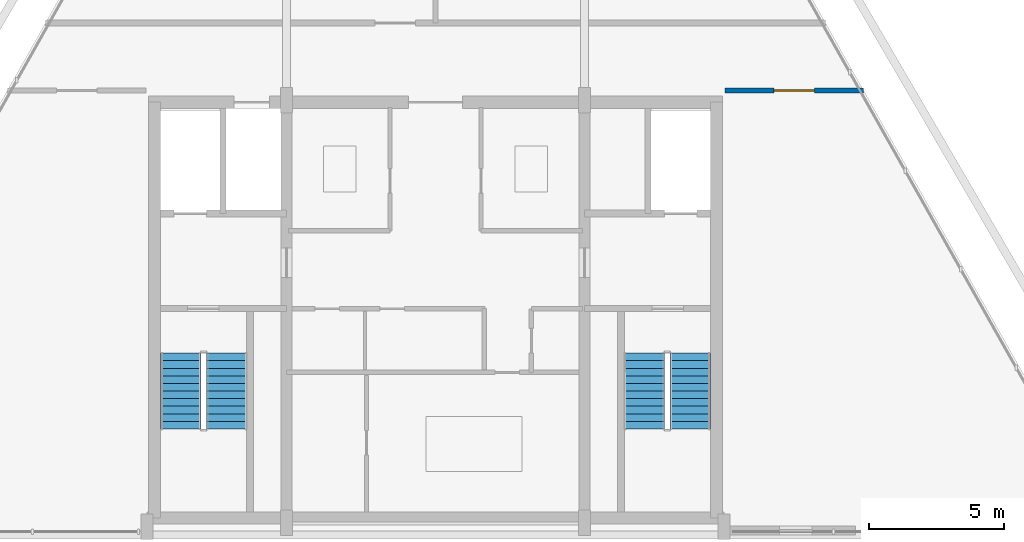
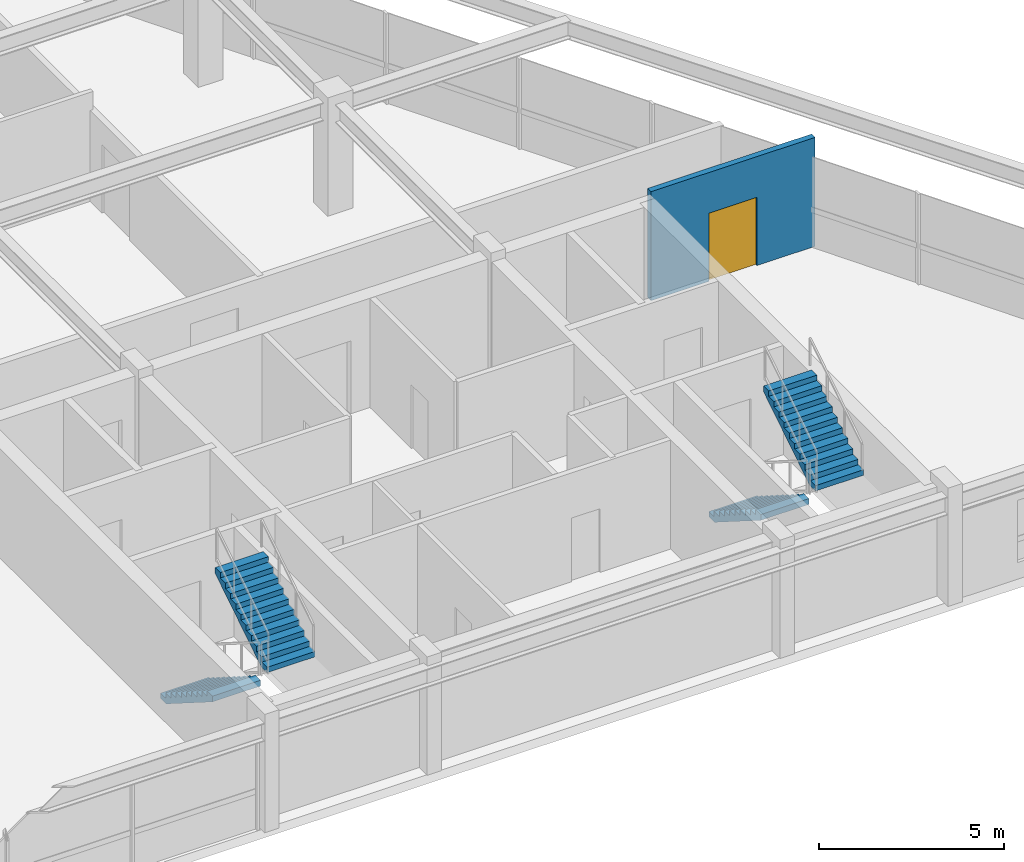
# One storey, part 11 of 12: 4 stair flights, 1 door, 1 wall, 1 opening, 2 elements without a shape of their own.
"""IFC4 building model written with IfcOpenShell, lengths in metres."""

from ifc_helpers import new_model, si_unit, direction, frame, frame_2d, origin, place, context, subcontext, project, spatial, polyline, rectangle, outline, extrude, source, transform, mapped, material, layer, layer_set, type_object, type_shapes, element, fill, aggregate, save


model = new_model("IFC4")

# Units and contexts
model_context = context("Model", 3, precision=1e-05, world=origin(), true_north=direction((0.0, 1.0)))
body_context = subcontext(model_context, "Body", "Model", "MODEL_VIEW")
ifc_project = project(units=[si_unit("LENGTHUNIT", "METRE"), si_unit("AREAUNIT", "SQUARE_METRE"), si_unit("VOLUMEUNIT", "CUBIC_METRE"), si_unit("PLANEANGLEUNIT", "RADIAN"), si_unit("MASSUNIT", "GRAM", prefix="KILO")], contexts=[model_context])

# Site, building, storey
site_placement = place(None, origin())
site = spatial("IfcSite", under=ifc_project, at=site_placement, CompositionType="ELEMENT")
building_placement = place(site_placement, origin())
building = spatial("IfcBuilding", under=site, at=building_placement, Name="Varnakhor Terracotta Tower", CompositionType="ELEMENT")
storey_placement = place(building_placement, frame((0.0, 0.0, 321.39990234375)))
storey = spatial("IfcBuildingStorey", under=building, at=storey_placement, Name="L84 Crown", CompositionType="ELEMENT", Elevation=321.39990234375)

# Wall, opening, door
ifc_material_1 = material(Name="Fire-Rated Gypsum Stud Partition", Category="gypsum")
ifc_layer = layer(ifc_material_1, 0.18505859375, Name="Fire-Rated Gypsum Stud Partition")
ifc_layer_set = layer_set([ifc_layer], Name="Fire-Rated Gypsum Stud Partition")
wall_type = type_object("IfcWallType", Name="WAL-CORR-185", PredefinedType="PARTITIONING", material=ifc_layer_set)
wall_placement = place(storey_placement, frame((10.679931640625, 16.39990234375, 0.0), z_axis=(0.0, 0.0, 1.0), x_axis=(1.0, 0.0, 0.0)))
wall = element("IfcWall", 1, at=wall_placement, inside=storey, type_object=wall_type, Name="L84 Crown East Plant Wall", PredefinedType="PARTITIONING", context=body_context, shape_type="SweptSolid", body=[
    extrude(rectangle(XDim=5.11865234375, YDim=0.18505859375, at=frame_2d((2.559326171875, 0.0))), origin(), (0.0, 0.0, 1.0), 3.592041015625),
])
opening_placement = place(wall_placement, frame((1.809326171875, 0.0, 0.0)))
opening = element("IfcOpeningElement", 2, at=opening_placement, cuts=wall, Name="Opening DR-30", PredefinedType="OPENING", context=body_context, shape_type="SweptSolid", body=[
    extrude(rectangle(XDim=1.5, YDim=2.25, at=frame_2d((0.75, 1.125))), frame((0.0, 0.1025390625, 0.0), z_axis=(0.0, -1.0, 0.0), x_axis=(1.0, 0.0, 0.0)), (0.0, 0.0, 1.0), 0.205078125),
])
ifc_material_2 = material(Name="Double Acoustic Conference Room Door", Category="wood")
door_type = type_object("IfcDoorType", Name="DR-MEET-1500X2250", OperationType="NOTDEFINED", PredefinedType="DOOR", material=ifc_material_2)
shared_shape = source(origin(), body_context, "Body", "SweptSolid", [
    extrude(rectangle(XDim=1.5, YDim=2.25, at=frame_2d((0.75, 1.125))), frame((0.0, 0.02490234375, 0.0), z_axis=(0.0, -1.0, 0.0), x_axis=(1.0, 0.0, 0.0)), (0.0, 0.0, 1.0), 0.050048828125),
])
type_shapes(door_type, [shared_shape])
door_placement = place(opening_placement, origin())
door = element("IfcDoor", 3, at=door_placement, inside=storey, type_object=door_type, Name="L84 Crown East Electrical Room Door", OperationType="DOUBLE_DOOR_SINGLE_SWING", OverallHeight=2.25, OverallWidth=1.5, PredefinedType="DOOR", context=body_context, shape_type="MappedRepresentation", body=[
    mapped(shared_shape, transform((0.0, 0.0, 0.0), scale=1.0)),
])
fill(opening, door)

# Stair, stair flights
ifc_material_3 = material(Name="Concrete C40/50", Category="concrete")
stair_type = type_object("IfcStairType", Name="STR-CORE-HOTEL-1500", PredefinedType="HALF_TURN_STAIR", material=ifc_material_3)
stair_1_placement = place(storey_placement, origin())
stair_1 = element("IfcStair", 4, at=stair_1_placement, inside=storey, type_object=stair_type, Name="L84 Crown Core Exit Stair ST-1", PredefinedType="HALF_TURN_STAIR")
stair_flight_type = type_object("IfcStairFlightType", Name="FLT-HOTEL-1500", PredefinedType="STRAIGHT", material=ifc_material_3)
stair_flight_1_placement = place(storey_placement, frame((-9.39990234375, 6.7099609375, 0.0), z_axis=(0.0, 0.0, 1.0), x_axis=(0.0, -1.0, 0.0)))
stair_flight_1 = element("IfcStairFlight", 5, at=stair_flight_1_placement, type_object=stair_flight_type, Name="ST-1 flight 1", NumberOfRisers=11, NumberOfTreads=10, PredefinedType="STRAIGHT", RiserHeight=0.177272727, TreadLength=0.28, context=body_context, shape_type="SweptSolid", body=[
    extrude(outline(polyline([(0.0, 0.0), (0.0, 0.17724609375), (0.280029296875, 0.17724609375), (0.280029296875, 0.3544921875), (0.56005859375, 0.3544921875), (0.56005859375, 0.53173828125), (0.840087890625, 0.53173828125), (0.840087890625, 0.708984375), (1.1201171875, 0.708984375), (1.1201171875, 0.886474609375), (1.39990234375, 0.886474609375), (1.39990234375, 1.063720703125), (1.679931640625, 1.063720703125), (1.679931640625, 1.240966796875), (1.9599609375, 1.240966796875), (1.9599609375, 1.418212890625), (2.239990234375, 1.418212890625), (2.239990234375, 1.595458984375), (2.52001953125, 1.595458984375), (2.52001953125, 1.772705078125), (2.800048828125, 1.772705078125), (2.800048828125, 1.949951171875), (2.800048828125, 1.58349609375), (0.298828125, 0.0), (0.0, 0.0)])), frame((0.0, 0.75, 0.0), z_axis=(0.0, -1.0, 0.0), x_axis=(1.0, 0.0, 0.0)), (0.0, 0.0, 1.0), 1.5),
])
stair_flight_2_placement = place(storey_placement, frame((-7.699951171875, 3.909912109375, 1.9501953125), z_axis=(0.0, 0.0, 1.0), x_axis=(0.0, 1.0, 0.0)))
stair_flight_2 = element("IfcStairFlight", 6, at=stair_flight_2_placement, type_object=stair_flight_type, Name="ST-1 flight 2", NumberOfRisers=11, NumberOfTreads=10, PredefinedType="STRAIGHT", RiserHeight=0.177272727, TreadLength=0.28, context=body_context, shape_type="SweptSolid", body=[
    extrude(outline(polyline([(0.0, 0.0), (0.0, 0.17724609375), (0.280029296875, 0.17724609375), (0.280029296875, 0.3544921875), (0.56005859375, 0.3544921875), (0.56005859375, 0.53173828125), (0.840087890625, 0.53173828125), (0.840087890625, 0.708984375), (1.1201171875, 0.708984375), (1.1201171875, 0.886474609375), (1.39990234375, 0.886474609375), (1.39990234375, 1.063720703125), (1.679931640625, 1.063720703125), (1.679931640625, 1.240966796875), (1.9599609375, 1.240966796875), (1.9599609375, 1.418212890625), (2.239990234375, 1.418212890625), (2.239990234375, 1.595458984375), (2.52001953125, 1.595458984375), (2.52001953125, 1.772705078125), (2.800048828125, 1.772705078125), (2.800048828125, 1.949951171875), (2.800048828125, 1.58349609375), (0.298828125, 0.0), (0.0, 0.0)])), frame((0.0, 0.75, 0.0), z_axis=(0.0, -1.0, 0.0), x_axis=(1.0, 0.0, 0.0)), (0.0, 0.0, 1.0), 1.5),
])
aggregate(stair_1, [stair_flight_1, stair_flight_2])

stair_2_placement = place(storey_placement, origin())
stair_2 = element("IfcStair", 7, at=stair_2_placement, inside=storey, type_object=stair_type, Name="L84 Crown Core Exit Stair ST-2", PredefinedType="HALF_TURN_STAIR")
stair_flight_3_placement = place(storey_placement, frame((7.699951171875, 6.7099609375, 0.0), z_axis=(0.0, 0.0, 1.0), x_axis=(0.0, -1.0, 0.0)))
stair_flight_3 = element("IfcStairFlight", 8, at=stair_flight_3_placement, type_object=stair_flight_type, Name="ST-2 flight 1", NumberOfRisers=11, NumberOfTreads=10, PredefinedType="STRAIGHT", RiserHeight=0.177272727, TreadLength=0.28, context=body_context, shape_type="SweptSolid", body=[
    extrude(outline(polyline([(0.0, 0.0), (0.0, 0.17724609375), (0.280029296875, 0.17724609375), (0.280029296875, 0.3544921875), (0.56005859375, 0.3544921875), (0.56005859375, 0.53173828125), (0.840087890625, 0.53173828125), (0.840087890625, 0.708984375), (1.1201171875, 0.708984375), (1.1201171875, 0.886474609375), (1.39990234375, 0.886474609375), (1.39990234375, 1.063720703125), (1.679931640625, 1.063720703125), (1.679931640625, 1.240966796875), (1.9599609375, 1.240966796875), (1.9599609375, 1.418212890625), (2.239990234375, 1.418212890625), (2.239990234375, 1.595458984375), (2.52001953125, 1.595458984375), (2.52001953125, 1.772705078125), (2.800048828125, 1.772705078125), (2.800048828125, 1.949951171875), (2.800048828125, 1.58349609375), (0.298828125, 0.0), (0.0, 0.0)])), frame((0.0, 0.75, 0.0), z_axis=(0.0, -1.0, 0.0), x_axis=(1.0, 0.0, 0.0)), (0.0, 0.0, 1.0), 1.5),
])
stair_flight_4_placement = place(storey_placement, frame((9.39990234375, 3.909912109375, 1.9501953125), z_axis=(0.0, 0.0, 1.0), x_axis=(0.0, 1.0, 0.0)))
stair_flight_4 = element("IfcStairFlight", 9, at=stair_flight_4_placement, type_object=stair_flight_type, Name="ST-2 flight 2", NumberOfRisers=11, NumberOfTreads=10, PredefinedType="STRAIGHT", RiserHeight=0.177272727, TreadLength=0.28, context=body_context, shape_type="SweptSolid", body=[
    extrude(outline(polyline([(0.0, 0.0), (0.0, 0.17724609375), (0.280029296875, 0.17724609375), (0.280029296875, 0.3544921875), (0.56005859375, 0.3544921875), (0.56005859375, 0.53173828125), (0.840087890625, 0.53173828125), (0.840087890625, 0.708984375), (1.1201171875, 0.708984375), (1.1201171875, 0.886474609375), (1.39990234375, 0.886474609375), (1.39990234375, 1.063720703125), (1.679931640625, 1.063720703125), (1.679931640625, 1.240966796875), (1.9599609375, 1.240966796875), (1.9599609375, 1.418212890625), (2.239990234375, 1.418212890625), (2.239990234375, 1.595458984375), (2.52001953125, 1.595458984375), (2.52001953125, 1.772705078125), (2.800048828125, 1.772705078125), (2.800048828125, 1.949951171875), (2.800048828125, 1.58349609375), (0.298828125, 0.0), (0.0, 0.0)])), frame((0.0, 0.75, 0.0), z_axis=(0.0, -1.0, 0.0), x_axis=(1.0, 0.0, 0.0)), (0.0, 0.0, 1.0), 1.5),
])
aggregate(stair_2, [stair_flight_3, stair_flight_4])

save(model, "model.ifc")
